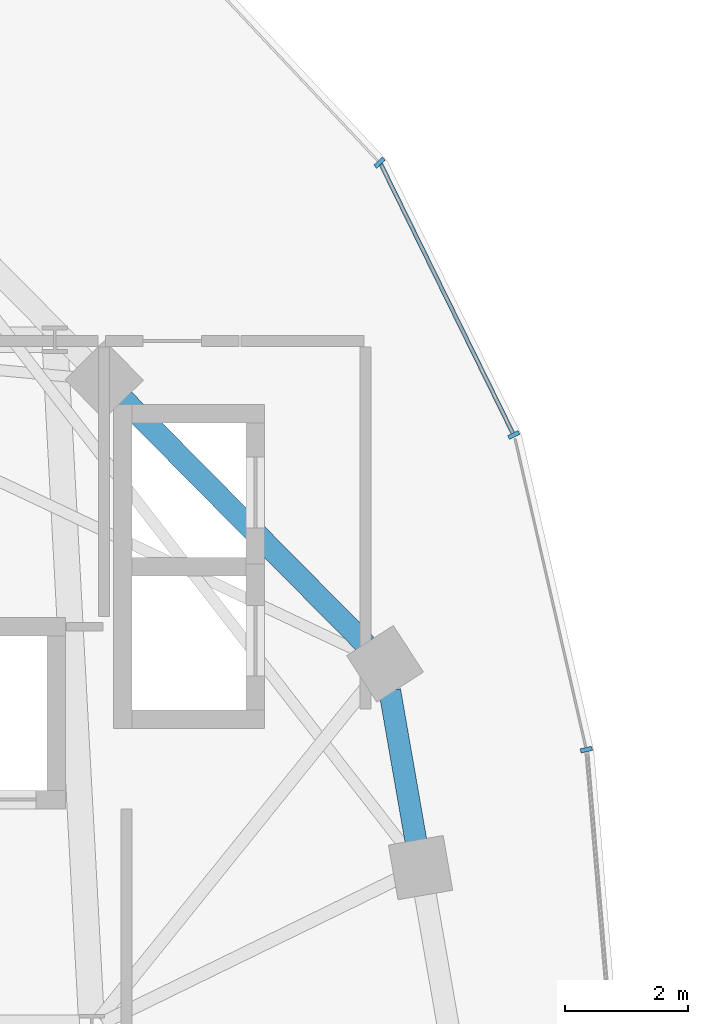
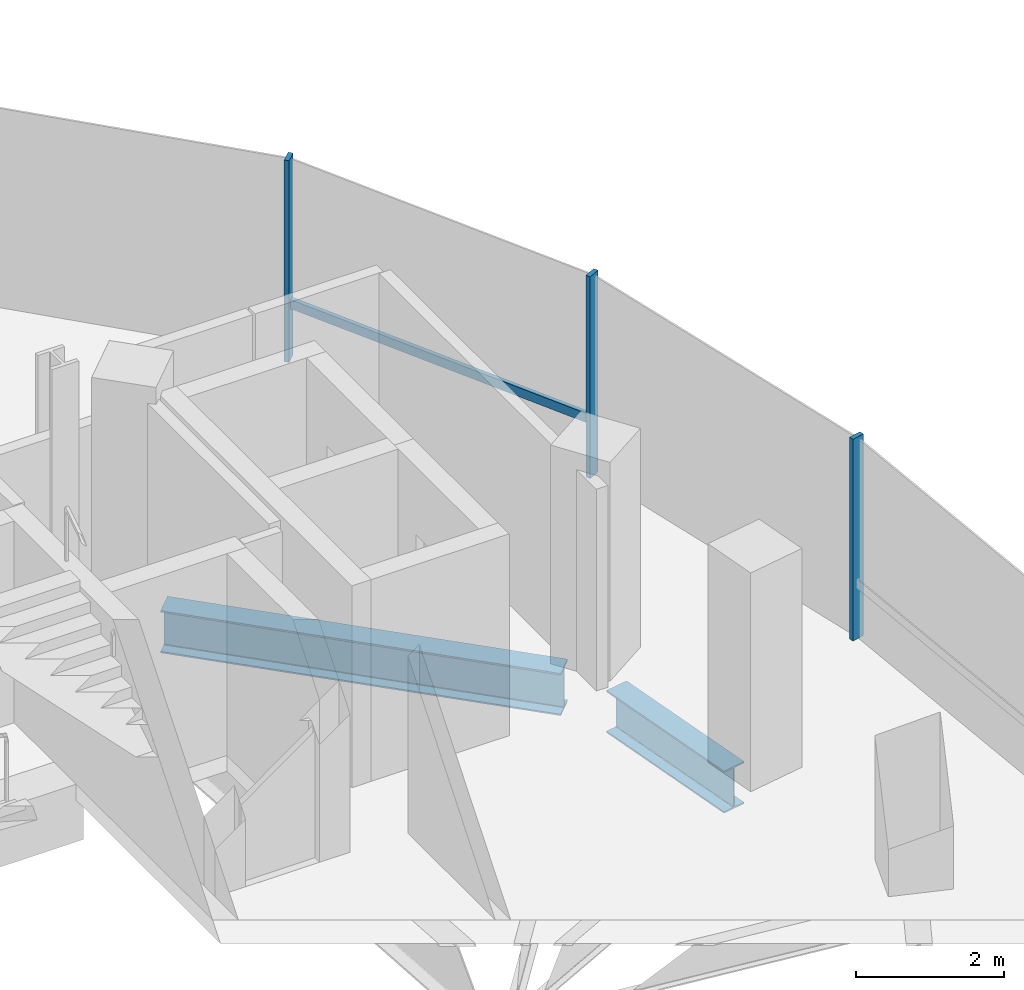
# One storey, part 7 of 24: 4 members, 2 beams, 1 element without a shape of its own.
"""IFC4 building model written with IfcOpenShell, lengths in metres."""

import ifcopenshell
import ifcopenshell.guid

model = None  # the IFC model being written
_history = None  # IfcOwnerHistory: only IFC2X3 demands one
_inside = {}  # id of a spatial element -> (the spatial element, [elements in it])
_under = {}  # id of a project, library or spatial element -> (it, [spatial elements below it])
_declared = {}  # id of a project -> (the project, [libraries it declares])
_typed = {}  # id of a type object -> (the type object, [elements of that type])
_made_of = {}  # id of a material, layer set ... -> (it, [elements and type objects made of it])


def new_model(schema):
    """Start an empty IFC model of exactly this schema.

    Asked for "IFC4X3", IfcOpenShell would pick the latest addendum, in which some entities
    have other attributes; the version numbers below select the first issue.
    IFC2X3 requires an IfcOwnerHistory on every rooted entity: one is made here for all.
    """
    global model, _history
    if schema == "IFC4X3":
        model = ifcopenshell.file(schema_version=(4, 3, 0, 0))
    else:
        model = ifcopenshell.file(schema=schema)
    _inside.clear()
    _under.clear()
    _declared.clear()
    _typed.clear()
    _made_of.clear()
    _history = None
    if model.schema == "IFC2X3":
        org = make("IfcOrganization", Name="unknown")
        user = make(
            "IfcPersonAndOrganization",
            ThePerson=make("IfcPerson", FamilyName="unknown"),
            TheOrganization=org,
        )
        app = make(
            "IfcApplication",
            ApplicationDeveloper=org,
            Version="unknown",
            ApplicationFullName="unknown",
            ApplicationIdentifier="unknown",
        )
        _history = make(
            "IfcOwnerHistory",
            OwningUser=user,
            OwningApplication=app,
            ChangeAction="ADDED",
            CreationDate=0,
        )
    return model


def make(cls, **values):
    """One entity of the class cls with the attributes given. An attribute that is None is left unset."""
    return model.create_entity(
        cls, **{name: value for name, value in values.items() if value is not None}
    )


def rooted(cls, **values):
    """An entity with a GlobalId (a new one), such as an element, a storey or a relation."""
    return make(cls, GlobalId=ifcopenshell.guid.new(), OwnerHistory=_history, **values)


def si_unit(unit_type, name, prefix=None):
    """IfcSIUnit, for example si_unit("LENGTHUNIT", "METRE", prefix="MILLI")."""
    return make("IfcSIUnit", UnitType=unit_type, Prefix=prefix, Name=name)


def assignment(units):
    """IfcUnitAssignment: the units of a project."""
    return None if units is None else make("IfcUnitAssignment", Units=units)


def point(xyz):
    """IfcCartesianPoint."""
    return None if xyz is None else make("IfcCartesianPoint", Coordinates=xyz)


def direction(xyz):
    """IfcDirection."""
    return None if xyz is None else make("IfcDirection", DirectionRatios=xyz)


def frame(location, z_axis=None, x_axis=None):
    """IfcAxis2Placement3D, a coordinate frame: its origin and axes. An axis left out is left unset."""
    return make(
        "IfcAxis2Placement3D",
        Location=point(location),
        Axis=direction(z_axis),
        RefDirection=direction(x_axis),
    )


def frame_2d(location, x_axis=None):
    """IfcAxis2Placement2D, a coordinate frame in the plane: its origin and x axis."""
    return make(
        "IfcAxis2Placement2D", Location=point(location), RefDirection=direction(x_axis)
    )


def origin():
    """The frame at (0, 0, 0) with its axes left unset."""
    return frame((0.0, 0.0, 0.0))


def origin_2d():
    """The frame at (0, 0) in the plane with its x axis left unset."""
    return frame_2d((0.0, 0.0))


def place(relative_to, where):
    """IfcLocalPlacement: puts the frame where relative to a parent placement (None: the world)."""
    return make(
        "IfcLocalPlacement", PlacementRelTo=relative_to, RelativePlacement=where
    )


def context(
    kind, dimensions, precision=None, world=None, true_north=None, identifier=None
):
    """IfcGeometricRepresentationContext, for example the 3D "Model" context."""
    return make(
        "IfcGeometricRepresentationContext",
        ContextIdentifier=identifier,
        ContextType=kind,
        CoordinateSpaceDimension=dimensions,
        Precision=precision,
        WorldCoordinateSystem=world,
        TrueNorth=true_north,
    )


def subcontext(parent, identifier, kind, view, scale=None):
    """IfcGeometricRepresentationSubContext, for example "Body" below "Model"."""
    return make(
        "IfcGeometricRepresentationSubContext",
        ContextIdentifier=identifier,
        ContextType=kind,
        ParentContext=parent,
        TargetScale=scale,
        TargetView=view,
    )


def project(units=None, contexts=None):
    """IfcProject with its units and contexts."""
    return rooted(
        "IfcProject",
        Name="project",
        RepresentationContexts=contexts,
        UnitsInContext=assignment(units),
    )


def spatial(cls, under=None, at=None, **own):
    """A site, building, storey or space (cls), placed at a placement, below another one or the project."""
    s = rooted(cls, ObjectPlacement=at, **own)
    if under is not None:
        _under.setdefault(under.id(), (under, []))[1].append(s)
    return s


def profile(cls, at=None, kind="AREA", **sizes):
    """A parametric profile (cls). Its sizes go by their IFC names, for example OverallWidth=200.0."""
    return make(cls, ProfileType=kind, Position=at, **sizes)


def rectangle(**sizes):
    """IfcRectangleProfileDef."""
    return profile("IfcRectangleProfileDef", **sizes)


def i_section(**sizes):
    """IfcIShapeProfileDef."""
    return profile("IfcIShapeProfileDef", **sizes)


def extrude(swept, where, along, depth):
    """IfcExtrudedAreaSolid: the profile swept, set in the frame where, extruded along a direction by depth."""
    return make(
        "IfcExtrudedAreaSolid",
        SweptArea=swept,
        Position=where,
        ExtrudedDirection=direction(along),
        Depth=depth,
    )


def shape(context_of_items, identifier, shape_type, items):
    """IfcShapeRepresentation: the items that make up one representation, for example the "Body"."""
    return make(
        "IfcShapeRepresentation",
        ContextOfItems=context_of_items,
        RepresentationIdentifier=identifier,
        RepresentationType=shape_type,
        Items=items,
    )


def material(Name=None, Category=None):
    """IfcMaterial."""
    return make("IfcMaterial", Name=Name, Category=Category)


def material_profile(
    of_material, cross_section, Name=None, Category=None, Priority=None
):
    """IfcMaterialProfile: a cross section and its material."""
    return make(
        "IfcMaterialProfile",
        Name=Name,
        Material=of_material,
        Profile=cross_section,
        Priority=Priority,
        Category=Category,
    )


def profile_set(profiles, Name=None, composite=None):
    """IfcMaterialProfileSet."""
    return make(
        "IfcMaterialProfileSet",
        Name=Name,
        MaterialProfiles=profiles,
        CompositeProfile=composite,
    )


def made_of(thing, what):
    """Note that an element or type object is made of a material, layer set ...; save() writes the relation."""
    if what is not None:
        _made_of.setdefault(what.id(), (what, []))[1].append(thing)
    return thing


def type_object(cls, material=None, **own):
    """A type object (cls), such as IfcWallType, which elements share."""
    return made_of(rooted(cls, **own), material)


def element(
    cls,
    number,
    at=None,
    inside=None,
    cuts=None,
    type_object=None,
    material=None,
    context=None,
    identifier="Body",
    shape_type=None,
    held_by="IfcProductDefinitionShape",
    body=None,
    shapes=None,
    **own,
):
    """One element of the class cls, such as IfcWall. Its Tag is "e" and its number.

    at: its placement. inside: the storey or other place that contains it. cuts: it is an
    opening in that element (IfcRelVoidsElement). A single representation is given by context,
    identifier, shape_type and body (its items); several are given by shapes. held_by: the class
    of the entity that holds the representations. save() writes the other relations.
    """
    e = rooted(cls, Tag="e%d" % number, ObjectPlacement=at, **own)
    if body is not None:
        shapes = [shape(context, identifier, shape_type, body)]
    if shapes is not None:
        e.Representation = make(held_by, Representations=shapes)
    if inside is not None:
        _inside.setdefault(inside.id(), (inside, []))[1].append(e)
    if cuts is not None:
        rooted(
            "IfcRelVoidsElement", RelatingBuildingElement=cuts, RelatedOpeningElement=e
        )
    if type_object is not None:
        _typed.setdefault(type_object.id(), (type_object, []))[1].append(e)
    return made_of(e, material)


def aggregate(whole, parts):
    """IfcRelAggregates: a whole, such as a stair, and the parts it consists of."""
    return rooted("IfcRelAggregates", RelatingObject=whole, RelatedObjects=parts)


def save(model, path):
    """Write the relations noted so far, then the file.

    IfcRelAggregates (storeys below a building ...), IfcRelContainedInSpatialStructure (elements
    in a storey), IfcRelDefinesByType, IfcRelAssociatesMaterial and IfcRelDeclares: one each for
    every whole, place, type object, material and project.
    """
    for whole, parts in _under.values():
        aggregate(whole, parts)
    for where, things in _inside.values():
        rooted(
            "IfcRelContainedInSpatialStructure",
            RelatedElements=things,
            RelatingStructure=where,
        )
    for kind, things in _typed.values():
        rooted("IfcRelDefinesByType", RelatedObjects=things, RelatingType=kind)
    for what, things in _made_of.values():
        rooted("IfcRelAssociatesMaterial", RelatedObjects=things, RelatingMaterial=what)
    for by, libraries in _declared.values():
        rooted("IfcRelDeclares", RelatingContext=by, RelatedDefinitions=libraries)
    model.write(path)


model = new_model("IFC4")

# Units and contexts
model_context = context("Model", 3, precision=1e-05, world=origin(), true_north=direction((0.0, 1.0)))
body_context = subcontext(model_context, "Body", "Model", "MODEL_VIEW")
ifc_project = project(units=[si_unit("LENGTHUNIT", "METRE"), si_unit("AREAUNIT", "SQUARE_METRE"), si_unit("VOLUMEUNIT", "CUBIC_METRE"), si_unit("PLANEANGLEUNIT", "RADIAN"), si_unit("MASSUNIT", "GRAM", prefix="KILO"), si_unit("THERMODYNAMICTEMPERATUREUNIT", "KELVIN"), si_unit("POWERUNIT", "WATT")], contexts=[model_context])

# Site, building, storey
site_placement = place(None, origin())
site = spatial("IfcSite", under=ifc_project, at=site_placement, CompositionType="ELEMENT")
building_placement = place(site_placement, origin())
building = spatial("IfcBuilding", under=site, at=building_placement, Name="Cundina Bronze Exchange", CompositionType="ELEMENT")
storey_placement = place(building_placement, frame((0.0, 0.0, 231.39990234375)))
storey = spatial("IfcBuildingStorey", under=building, at=storey_placement, Name="L61", CompositionType="ELEMENT", Elevation=231.39990234375)

# Beams
ifc_material_1 = material(Name="Steel ASTM A992 Grade 50", Category="steel")
ifc_material_profile_1 = material_profile(ifc_material_1, i_section(OverallWidth=0.35498046875, OverallDepth=0.695068359375, WebThickness=0.015380859375, FlangeThickness=0.02490234375, FilletRadius=0.01806640625, at=origin_2d()), Name="W27X146", Category="steel")
ifc_profile_set_1 = profile_set([ifc_material_profile_1], Name="Steel ASTM A992 Grade 50")
beam_type = type_object("IfcBeamType", Name="BM-RING-W27", PredefinedType="USERDEFINED", material=ifc_profile_set_1)
beam_1_placement = place(storey_placement, frame((-16.2001953125, 6.931396484375, -0.607421875), z_axis=(-0.171628556628, 0.985161732179, 0.0), x_axis=(-0.985161732179, -0.171628556628, 0.0)))
element("IfcBeam", 1, at=beam_1_placement, inside=storey, type_object=beam_type, Name="L61 W Perimeter Ring Girder 01", ObjectType="GIRDER", PredefinedType="USERDEFINED", context=body_context, shape_type="SweptSolid", body=[
    extrude(i_section(OverallWidth=0.35498046875, OverallDepth=0.695068359375, WebThickness=0.015380859375, FlangeThickness=0.02490234375, FilletRadius=0.01806640625, at=origin_2d()), origin(), (0.0, 0.0, 1.0), 2.4736328125),
])
beam_2_placement = place(storey_placement, frame((-17.008056640625, 10.111328125, -0.607421875), z_axis=(-0.703211928763, 0.710980297368, 0.0), x_axis=(-0.710980297368, -0.703211928763, 0.0)))
element("IfcBeam", 2, at=beam_2_placement, inside=storey, type_object=beam_type, Name="L61 W Perimeter Ring Girder 02", ObjectType="GIRDER", PredefinedType="USERDEFINED", context=body_context, shape_type="SweptSolid", body=[
    extrude(i_section(OverallWidth=0.35498046875, OverallDepth=0.695068359375, WebThickness=0.015380859375, FlangeThickness=0.02490234375, FilletRadius=0.01806640625, at=origin_2d()), origin(), (0.0, 0.0, 1.0), 5.593994140625),
])

# Curtain wall, members
ifc_material_2 = material(Name="Anodised Bronze Aluminium 6063-T6", Category="aluminium")
curtain_wall_type = type_object("IfcCurtainWallType", Name="CWS-UPP-OFF", PredefinedType="NOTDEFINED", material=ifc_material_2)
curtain_wall_placement = place(storey_placement, origin())
curtain_wall = element("IfcCurtainWall", 3, at=curtain_wall_placement, inside=storey, type_object=curtain_wall_type, Name="L61 CW-05 Curtain Wall Run CWR-L61-W1", PredefinedType="NOTDEFINED")
ifc_material_profile_2 = material_profile(ifc_material_2, rectangle(XDim=0.070068359375, YDim=0.18994140625, at=origin_2d()), Name="AL70X190", Category="aluminium")
ifc_profile_set_2 = profile_set([ifc_material_profile_2], Name="Anodised Bronze Aluminium 6063-T6")
member_type_1 = type_object("IfcMemberType", Name="CWM-MUL-190", PredefinedType="MULLION", material=ifc_profile_set_2)
member_1_placement = place(storey_placement, frame((-13.43994140625, 8.4111328125, 0.0), z_axis=(0.0, 0.0, 1.0), x_axis=(-0.223250116011, 0.974761194191, 0.0)))
member_1 = element("IfcMember", 4, at=member_1_placement, type_object=member_type_1, Name="CW-05 Mullion 2", PredefinedType="MULLION", context=body_context, shape_type="SweptSolid", body=[
    extrude(rectangle(XDim=0.070068359375, YDim=0.18994140625, at=origin_2d()), origin(), (0.0, 0.0, 1.0), 3.320068359375),
])
member_2_placement = place(storey_placement, frame((-14.61572265625, 13.50732421875, 0.0), z_axis=(0.0, 0.0, 1.0), x_axis=(-0.440566004113, 0.897720221461, 0.0)))
member_2 = element("IfcMember", 5, at=member_2_placement, type_object=member_type_1, Name="CW-05 Mullion 3", PredefinedType="MULLION", context=body_context, shape_type="SweptSolid", body=[
    extrude(rectangle(XDim=0.070068359375, YDim=0.18994140625, at=origin_2d()), origin(), (0.0, 0.0, 1.0), 3.320068359375),
])
member_3_placement = place(storey_placement, frame((-16.790283203125, 17.91796875, 0.0), z_axis=(0.0, 0.0, 1.0), x_axis=(-0.684292606175, 0.729207535023, 0.0)))
member_3 = element("IfcMember", 6, at=member_3_placement, type_object=member_type_1, Name="CW-05 Mullion 4", PredefinedType="MULLION", context=body_context, shape_type="SweptSolid", body=[
    extrude(rectangle(XDim=0.070068359375, YDim=0.18994140625, at=origin_2d()), origin(), (0.0, 0.0, 1.0), 3.320068359375),
])
ifc_material_profile_3 = material_profile(ifc_material_2, rectangle(XDim=0.06494140625, YDim=0.14990234375, at=origin_2d()), Name="AL65X150", Category="aluminium")
ifc_profile_set_3 = profile_set([ifc_material_profile_3], Name="Anodised Bronze Aluminium 6063-T6")
member_type_2 = type_object("IfcMemberType", Name="CWM-TRN-150", PredefinedType="USERDEFINED", material=ifc_profile_set_3)
member_4_placement = place(storey_placement, frame((-14.6328125, 13.5419921875, 0.920166015625), z_axis=(-0.440483110889, 0.897760897467, 0.0), x_axis=(-0.897760897467, -0.440483110889, 0.0)))
member_4 = element("IfcMember", 7, at=member_4_placement, type_object=member_type_2, Name="CW-05 Spandrel Transom 3", ObjectType="TRANSOM", PredefinedType="USERDEFINED", context=body_context, shape_type="SweptSolid", body=[
    extrude(rectangle(XDim=0.06494140625, YDim=0.14990234375, at=origin_2d()), origin(), (0.0, 0.0, 1.0), 4.855224609375),
])
aggregate(curtain_wall, [member_1, member_2, member_4, member_3])

save(model, "model.ifc")
